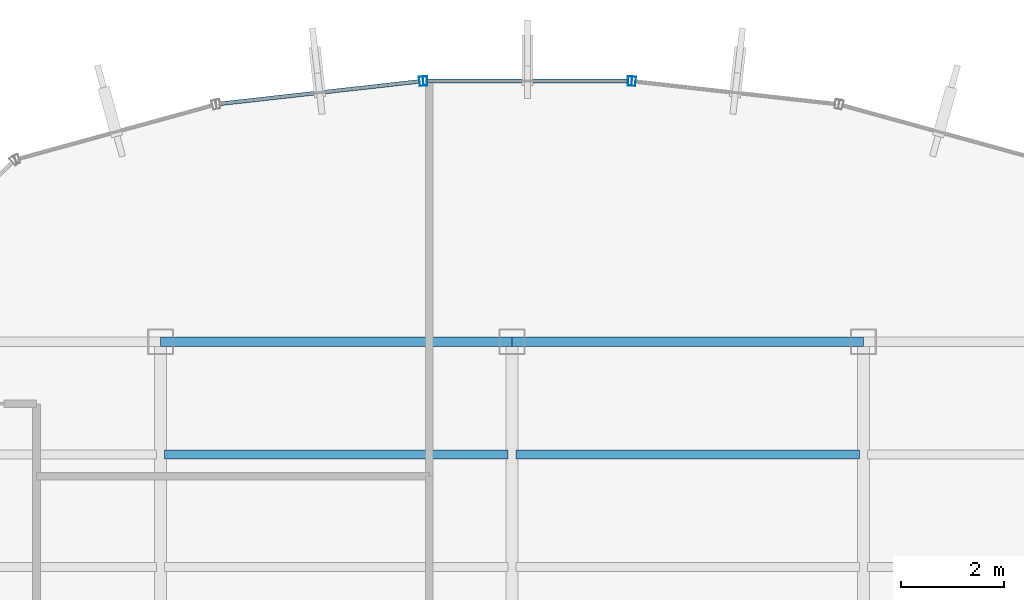
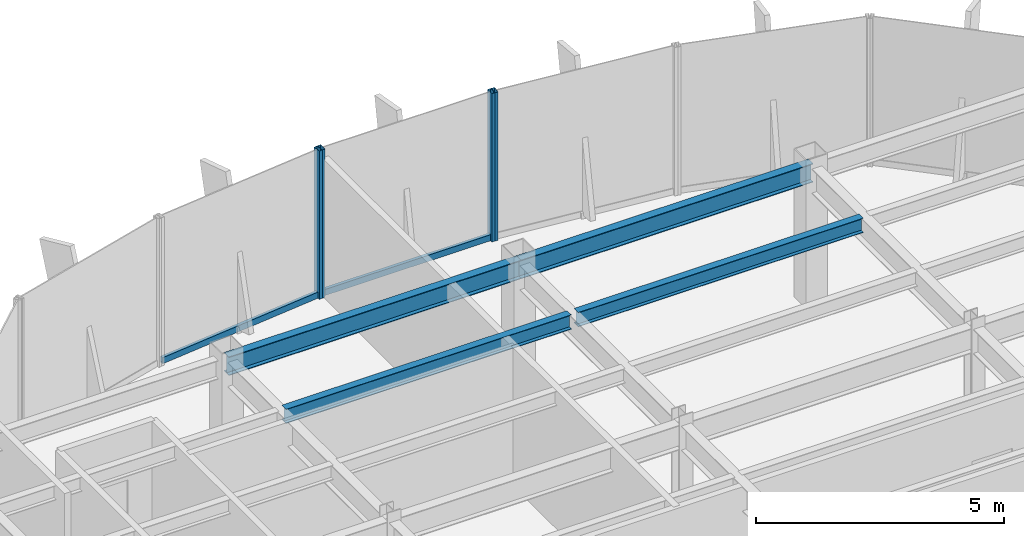
# One storey, part 12 of 21: 6 members, 4 beams, 3 elements without a shape of their own.
"""IFC4 building model written with IfcOpenShell, lengths in metres."""

from ifc_helpers import new_model, si_unit, derived_unit, direction, frame, origin, origin_2d, place, context, subcontext, project, spatial, hollow_rectangle, i_section, extrude, source, transform, mapped, material, material_profile, profile_set, type_object, element, aggregate, save


model = new_model("IFC4")

# Units and contexts
model_context = context("Model", 3, precision=1e-05, world=origin(), true_north=direction((0.0, 1.0)))
body_context = subcontext(model_context, "Body", "Model", "MODEL_VIEW")
ifc_project = project(units=[si_unit("LENGTHUNIT", "METRE"), si_unit("AREAUNIT", "SQUARE_METRE"), si_unit("VOLUMEUNIT", "CUBIC_METRE"), si_unit("PLANEANGLEUNIT", "RADIAN"), si_unit("MASSUNIT", "GRAM", prefix="KILO"), derived_unit("THERMALTRANSMITTANCEUNIT", [(si_unit("POWERUNIT", "WATT"), 1), (si_unit("LENGTHUNIT", "METRE"), -2), (si_unit("THERMODYNAMICTEMPERATUREUNIT", "KELVIN"), -1)])], contexts=[model_context])

# Site, building, storey
site_placement = place(None, origin())
site = spatial("IfcSite", under=ifc_project, at=site_placement, CompositionType="ELEMENT")
building_placement = place(site_placement, origin())
building = spatial("IfcBuilding", under=site, at=building_placement, Name="Skarnbrae Concourse Arena and Tower", CompositionType="ELEMENT")
storey_placement = place(building_placement, frame((0.0, 0.0, 188.60009765625)))
storey = spatial("IfcBuildingStorey", under=building, at=storey_placement, Name="L48", CompositionType="ELEMENT", Elevation=188.60009765625)

# Beams
ifc_material_1 = material(Name="Steel CSA G40.21 350W", Category="steel")
ifc_material_profile_1 = material_profile(ifc_material_1, i_section(OverallWidth=0.19091796875, OverallDepth=0.4599609375, WebThickness=0.010009765625, FlangeThickness=0.01611328125, at=origin_2d()), Name="W460X82")
ifc_profile_set_1 = profile_set([ifc_material_profile_1], Name="Steel CSA G40.21 350W")
beam_type_1 = type_object("IfcBeamType", Name="BM-SPAN-W460X82", PredefinedType="SPANDREL", material=ifc_profile_set_1)
shared_shape_1 = source(origin(), body_context, "Body", "SweptSolid", [
    extrude(i_section(OverallWidth=0.19091796875, OverallDepth=0.4599609375, WebThickness=0.010009765625, FlangeThickness=0.01611328125, at=origin_2d()), origin(), (0.0, 0.0, 1.0), 6.800048828125),
])
for number, where, z_axis, x_axis, name in (
    (1, (14.39990234375, 34.39990234375, 3.169921875), (1.0, 0.0, 0.0), (0.0, 1.0, 0.0), "L48 Perimeter spandrel Y34.4-2"),
    (2, (21.199951171875, 34.39990234375, 3.169921875), (1.0, 0.0, 0.0), (0.0, 1.0, 0.0), "L48 Perimeter spandrel Y34.4-3"),
):
    element("IfcBeam", number, at=place(storey_placement, frame(where, z_axis=z_axis, x_axis=x_axis)), inside=storey, type_object=beam_type_1, Name=name, PredefinedType="SPANDREL", context=body_context, shape_type="MappedRepresentation", body=[
        mapped(shared_shape_1, transform((0.0, 0.0, 0.0))),
    ])
ifc_material_profile_2 = material_profile(ifc_material_1, i_section(OverallWidth=0.1708984375, OverallDepth=0.35498046875, WebThickness=0.007080078125, FlangeThickness=0.01171875, at=origin_2d()), Name="W360X51")
ifc_profile_set_2 = profile_set([ifc_material_profile_2], Name="Steel CSA G40.21 350W")
beam_type_2 = type_object("IfcBeamType", Name="BM-JOIST-W360X51", PredefinedType="JOIST", material=ifc_profile_set_2)
shared_shape_2 = source(origin(), body_context, "Body", "SweptSolid", [
    extrude(i_section(OverallWidth=0.1708984375, OverallDepth=0.35498046875, WebThickness=0.007080078125, FlangeThickness=0.01171875, at=origin_2d()), origin(), (0.0, 0.0, 1.0), 6.64013671875),
])
beam_1_placement = place(storey_placement, frame((14.47998046875, 32.221923828125, 3.222412109375), z_axis=(1.0, 0.0, 0.0), x_axis=(0.0, 1.0, 0.0)))
element("IfcBeam", 3, at=beam_1_placement, inside=storey, type_object=beam_type_2, Name="L48 Secondary floor joist 3.2.2", PredefinedType="JOIST", context=body_context, shape_type="MappedRepresentation", body=[
    mapped(shared_shape_2, transform((0.0, 0.0, 0.0))),
])
shared_shape_3 = source(origin(), body_context, "Body", "SweptSolid", [
    extrude(i_section(OverallWidth=0.1708984375, OverallDepth=0.35498046875, WebThickness=0.007080078125, FlangeThickness=0.01171875, at=origin_2d()), origin(), (0.0, 0.0, 1.0), 6.639892578125),
])
beam_2_placement = place(storey_placement, frame((21.280029296875, 32.221923828125, 3.222412109375), z_axis=(1.0, 0.0, 0.0), x_axis=(0.0, 1.0, 0.0)))
element("IfcBeam", 4, at=beam_2_placement, inside=storey, type_object=beam_type_2, Name="L48 Secondary floor joist 3.2.3", PredefinedType="JOIST", context=body_context, shape_type="MappedRepresentation", body=[
    mapped(shared_shape_3, transform((0.0, 0.0, 0.0))),
])

# Curtain wall, member
ifc_material_2 = material(Name="Bronze anodised aluminium 6063-T6", Category="aluminium")
curtain_wall_type = type_object("IfcCurtainWallType", Name="CW-SYS-05-HIGHZONE", PredefinedType="USERDEFINED", material=ifc_material_2)
curtain_wall_1_placement = place(storey_placement, origin())
curtain_wall_1 = element("IfcCurtainWall", 5, at=curtain_wall_1_placement, inside=storey, type_object=curtain_wall_type, Name="L48 Unitised curtain wall CW-L48-E10", ObjectType="UNITISED CURTAIN WALL", PredefinedType="USERDEFINED")
ifc_material_profile_3 = material_profile(ifc_material_2, hollow_rectangle(XDim=0.074951171875, YDim=0.179931640625, WallThickness=0.00390625, at=origin_2d()), Name="ALU-MULL-75X180")
ifc_profile_set_3 = profile_set([ifc_material_profile_3], Name="Bronze anodised aluminium 6063-T6")
member_type_1 = type_object("IfcMemberType", Name="CWM-CW-05", PredefinedType="MULLION", material=ifc_profile_set_3)
shared_shape_4 = source(origin(), body_context, "Body", "SweptSolid", [
    extrude(hollow_rectangle(XDim=0.074951171875, YDim=0.179931640625, WallThickness=0.00390625, at=origin_2d()), origin(), (0.0, 0.0, 1.0), 3.64990234375),
])
member_1_placement = place(storey_placement, frame((23.554443359375, 39.4423828125, 0.0), z_axis=(0.0, 0.0, 1.0), x_axis=(-0.993768891873, 0.111460259941, 0.0)))
member_1 = element("IfcMember", 6, at=member_1_placement, type_object=member_type_1, Name="CW-L48-E10 Mullion 2", PredefinedType="MULLION", context=body_context, shape_type="MappedRepresentation", body=[
    mapped(shared_shape_4, transform((0.0, 0.0, 0.0))),
])
aggregate(curtain_wall_1, [member_1])

# Curtain wall, members
curtain_wall_2_placement = place(storey_placement, origin())
curtain_wall_2 = element("IfcCurtainWall", 7, at=curtain_wall_2_placement, inside=storey, type_object=curtain_wall_type, Name="L48 Unitised curtain wall CW-L48-E11", ObjectType="UNITISED CURTAIN WALL", PredefinedType="USERDEFINED")
member_2_placement = place(storey_placement, frame((23.479736328125, 39.44677734375, 0.0), z_axis=(0.0, 0.0, 1.0), x_axis=(-1.0, 0.0, 0.0)))
member_2 = element("IfcMember", 8, at=member_2_placement, type_object=member_type_1, Name="CW-L48-E11 Mullion 1", PredefinedType="MULLION", context=body_context, shape_type="MappedRepresentation", body=[
    mapped(shared_shape_4, transform((0.0, 0.0, 0.0))),
])
member_3_placement = place(storey_placement, frame((19.520263671875, 39.44677734375, 0.0), z_axis=(0.0, 0.0, 1.0), x_axis=(-1.0, 0.0, 0.0)))
member_3 = element("IfcMember", 9, at=member_3_placement, type_object=member_type_1, Name="CW-L48-E11 Mullion 2", PredefinedType="MULLION", context=body_context, shape_type="MappedRepresentation", body=[
    mapped(shared_shape_4, transform((0.0, 0.0, 0.0))),
])

curtain_wall_3_placement = place(storey_placement, origin())
curtain_wall_3 = element("IfcCurtainWall", 10, at=curtain_wall_3_placement, inside=storey, type_object=curtain_wall_type, Name="L48 Unitised curtain wall CW-L48-E12", ObjectType="UNITISED CURTAIN WALL", PredefinedType="USERDEFINED")
member_4_placement = place(storey_placement, frame((19.445556640625, 39.4423828125, 0.0), z_axis=(0.0, 0.0, 1.0), x_axis=(-0.993768891873, -0.111460259941, 0.0)))
member_4 = element("IfcMember", 11, at=member_4_placement, type_object=member_type_1, Name="CW-L48-E12 Mullion 1", PredefinedType="MULLION", context=body_context, shape_type="MappedRepresentation", body=[
    mapped(shared_shape_4, transform((0.0, 0.0, 0.0))),
])
ifc_material_profile_4 = material_profile(ifc_material_2, hollow_rectangle(XDim=0.074951171875, YDim=0.14990234375, WallThickness=0.00390625, at=origin_2d()), Name="ALU-TRAN-75X150")
ifc_profile_set_4 = profile_set([ifc_material_profile_4], Name="Bronze anodised aluminium 6063-T6")
member_type_2 = type_object("IfcMemberType", Name="CWT-CW-05", PredefinedType="USERDEFINED", material=ifc_profile_set_4)
shared_shape_5 = source(origin(), body_context, "Body", "SweptSolid", [
    extrude(hollow_rectangle(XDim=0.074951171875, YDim=0.14990234375, WallThickness=0.00390625, at=origin_2d()), origin(), (0.0, 0.0, 1.0), 3.8837890625),
])
member_5_placement = place(storey_placement, frame((19.408203125, 39.438232421875, 0.074951171875), z_axis=(-0.993776714154, -0.111390495128, 0.0), x_axis=(0.111390495128, -0.993776714154, 0.0)))
member_5 = element("IfcMember", 12, at=member_5_placement, type_object=member_type_2, Name="CW-L48-E12 Transom 1", ObjectType="TRANSOM", PredefinedType="USERDEFINED", context=body_context, shape_type="MappedRepresentation", body=[
    mapped(shared_shape_5, transform((0.0, 0.0, 0.0))),
])
aggregate(curtain_wall_3, [member_4, member_5])

# Member
shared_shape_6 = source(origin(), body_context, "Body", "SweptSolid", [
    extrude(hollow_rectangle(XDim=0.074951171875, YDim=0.14990234375, WallThickness=0.00390625, at=origin_2d()), origin(), (0.0, 0.0, 1.0), 3.88427734375),
])
member_6_placement = place(storey_placement, frame((23.442138671875, 39.44677734375, 0.074951171875), z_axis=(-1.0, 0.0, 0.0), x_axis=(0.0, -1.0, 0.0)))
member_6 = element("IfcMember", 13, at=member_6_placement, type_object=member_type_2, Name="CW-L48-E11 Transom 1", ObjectType="TRANSOM", PredefinedType="USERDEFINED", context=body_context, shape_type="MappedRepresentation", body=[
    mapped(shared_shape_6, transform((0.0, 0.0, 0.0))),
])

aggregate(curtain_wall_2, [member_2, member_3, member_6])

save(model, "model.ifc")
